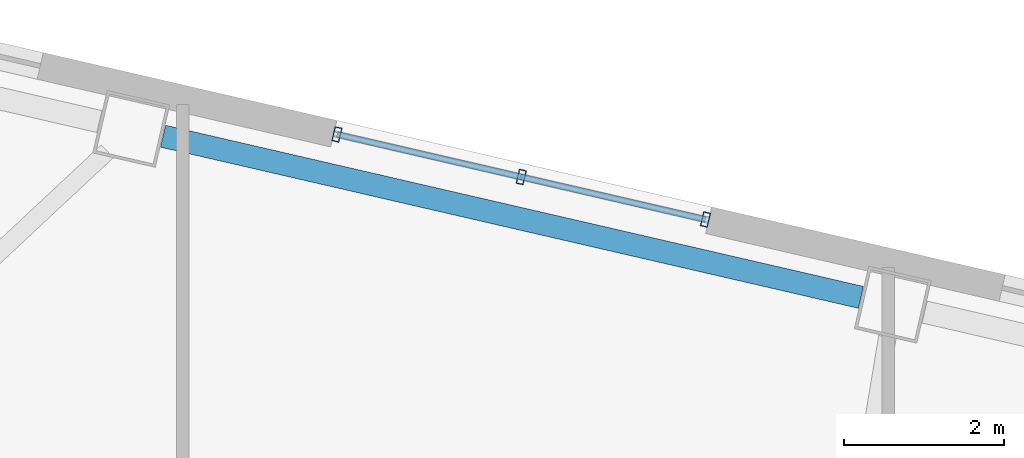
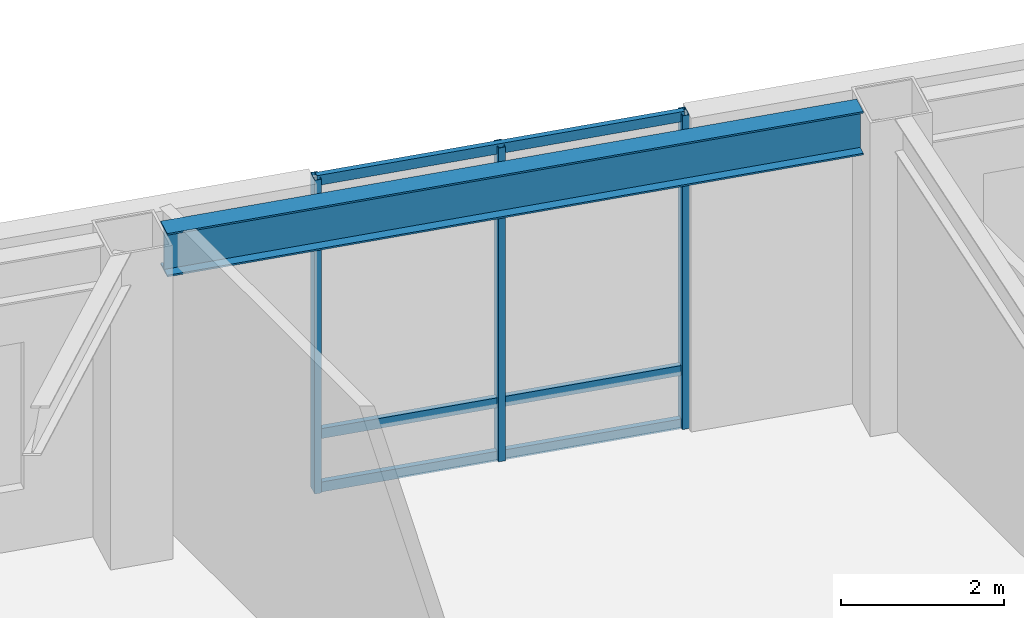
# One storey, part 6 of 20: 6 members, 1 beam, 1 element without a shape of its own.
"""IFC4 building model written with IfcOpenShell, lengths in metres."""

from ifc_helpers import new_model, si_unit, direction, frame, origin, origin_2d, place, context, subcontext, project, spatial, hollow_rectangle, i_section, extrude, material, layer, layer_set, material_profile, profile_set, type_object, element, aggregate, save


model = new_model("IFC4")

# Units and contexts
model_context = context("Model", 3, precision=1e-05, world=origin(), true_north=direction((0.0, 1.0)))
body_context = subcontext(model_context, "Body", "Model", "MODEL_VIEW")
ifc_project = project(units=[si_unit("LENGTHUNIT", "METRE"), si_unit("AREAUNIT", "SQUARE_METRE"), si_unit("VOLUMEUNIT", "CUBIC_METRE"), si_unit("PLANEANGLEUNIT", "RADIAN"), si_unit("MASSUNIT", "GRAM", prefix="KILO")], contexts=[model_context])

# Site, building, storey
site_placement = place(None, origin())
site = spatial("IfcSite", under=ifc_project, at=site_placement, CompositionType="ELEMENT")
building_placement = place(site_placement, origin())
building = spatial("IfcBuilding", under=site, at=building_placement, Name="Tavrogorsk Clinical Tower", CompositionType="ELEMENT")
storey_placement = place(building_placement, frame((0.0, 0.0, 23.39990234375)))
storey = spatial("IfcBuildingStorey", under=building, at=storey_placement, Name="L04", CompositionType="ELEMENT", Elevation=23.39990234375)

# Curtain wall, members
ifc_material_1 = material(Name="Anodised aluminium and triple IGU glazing", Category="aluminium")
ifc_layer = layer(ifc_material_1, 0.179931640625)
ifc_layer_set = layer_set([ifc_layer], Name="Anodised aluminium and triple IGU glazing")
curtain_wall_type = type_object("IfcCurtainWallType", Name="CW2_NorthSlot", PredefinedType="NOTDEFINED", material=ifc_layer_set)
curtain_wall_placement = place(storey_placement, origin())
curtain_wall = element("IfcCurtainWall", 1, at=curtain_wall_placement, inside=storey, type_object=curtain_wall_type, Name="L04 Curtain Wall CW-L04-N-SLOT-1", PredefinedType="NOTDEFINED")
ifc_material_2 = material(Name="Anodised aluminium alloy AW-6060", Category="aluminium")
ifc_material_profile_1 = material_profile(ifc_material_2, hollow_rectangle(XDim=0.090087890625, YDim=0.179931640625, WallThickness=0.00634765625, at=origin_2d()), Name="RHS-180x90x6.3")
ifc_profile_set_1 = profile_set([ifc_material_profile_1], Name="Anodised aluminium alloy AW-6060")
member_type_1 = type_object("IfcMemberType", Name="CwMullion_180x90", PredefinedType="MULLION", material=ifc_profile_set_1)
member_1_placement = place(storey_placement, frame((-3.879638671875, 24.640625, 0.0), z_axis=(0.0, 0.0, 1.0), x_axis=(-0.974370102963, 0.224950888978, 0.0)))
member_1 = element("IfcMember", 2, at=member_1_placement, type_object=member_type_1, Name="CW-L04-N-SLOT-1 Mullion 1", PredefinedType="MULLION", context=body_context, shape_type="SweptSolid", body=[
    extrude(hollow_rectangle(XDim=0.090087890625, YDim=0.179931640625, WallThickness=0.00634765625, at=origin_2d()), origin(), (0.0, 0.0, 1.0), 4.7001953125),
])
member_2_placement = place(storey_placement, frame((-6.17822265625, 25.171142578125, 0.0), z_axis=(0.0, 0.0, 1.0), x_axis=(-0.974370102963, 0.224950888978, 0.0)))
member_2 = element("IfcMember", 3, at=member_2_placement, type_object=member_type_1, Name="CW-L04-N-SLOT-1 Mullion 2", PredefinedType="MULLION", context=body_context, shape_type="SweptSolid", body=[
    extrude(hollow_rectangle(XDim=0.090087890625, YDim=0.179931640625, WallThickness=0.00634765625, at=origin_2d()), origin(), (0.0, 0.0, 1.0), 4.7001953125),
])
member_3_placement = place(storey_placement, frame((-8.476806640625, 25.701904296875, 0.0), z_axis=(0.0, 0.0, 1.0), x_axis=(-0.974370102963, 0.224950888978, 0.0)))
member_3 = element("IfcMember", 4, at=member_3_placement, type_object=member_type_1, Name="CW-L04-N-SLOT-1 Mullion 3", PredefinedType="MULLION", context=body_context, shape_type="SweptSolid", body=[
    extrude(hollow_rectangle(XDim=0.090087890625, YDim=0.179931640625, WallThickness=0.00634765625, at=origin_2d()), origin(), (0.0, 0.0, 1.0), 4.7001953125),
])
ifc_material_3 = material(Name="Anodised aluminium alloy AW-6060", Category="aluminium")
ifc_material_profile_2 = material_profile(ifc_material_3, hollow_rectangle(XDim=0.074951171875, YDim=0.14990234375, WallThickness=0.0048828125, at=origin_2d()), Name="RHS-150x75x5")
ifc_profile_set_2 = profile_set([ifc_material_profile_2], Name="Anodised aluminium alloy AW-6060")
member_type_2 = type_object("IfcMemberType", Name="CwTransom_150x75", PredefinedType="USERDEFINED", material=ifc_profile_set_2)
member_4_placement = place(storey_placement, frame((-3.879638671875, 24.640625, 0.050048828125), z_axis=(-0.974372877948, 0.22493886885, 0.0), x_axis=(-0.22493886885, -0.974372877948, 0.0)))
member_4 = element("IfcMember", 5, at=member_4_placement, type_object=member_type_2, Name="CW-L04-N-SLOT-1 Transom 1", ObjectType="TRANSOM", PredefinedType="USERDEFINED", context=body_context, shape_type="SweptSolid", body=[
    extrude(hollow_rectangle(XDim=0.074951171875, YDim=0.14990234375, WallThickness=0.0048828125, at=origin_2d()), origin(), (0.0, 0.0, 1.0), 4.718017578125),
])
member_5_placement = place(storey_placement, frame((-3.879638671875, 24.640625, 0.85009765625), z_axis=(-0.974372877948, 0.22493886885, 0.0), x_axis=(-0.22493886885, -0.974372877948, 0.0)))
member_5 = element("IfcMember", 6, at=member_5_placement, type_object=member_type_2, Name="CW-L04-N-SLOT-1 Transom 2", ObjectType="TRANSOM", PredefinedType="USERDEFINED", context=body_context, shape_type="SweptSolid", body=[
    extrude(hollow_rectangle(XDim=0.074951171875, YDim=0.14990234375, WallThickness=0.0048828125, at=origin_2d()), origin(), (0.0, 0.0, 1.0), 4.718017578125),
])
member_6_placement = place(storey_placement, frame((-3.879638671875, 24.640625, 4.650146484375), z_axis=(-0.974372877948, 0.22493886885, 0.0), x_axis=(-0.22493886885, -0.974372877948, 0.0)))
member_6 = element("IfcMember", 7, at=member_6_placement, type_object=member_type_2, Name="CW-L04-N-SLOT-1 Transom 3", ObjectType="TRANSOM", PredefinedType="USERDEFINED", context=body_context, shape_type="SweptSolid", body=[
    extrude(hollow_rectangle(XDim=0.074951171875, YDim=0.14990234375, WallThickness=0.0048828125, at=origin_2d()), origin(), (0.0, 0.0, 1.0), 4.718017578125),
])
aggregate(curtain_wall, [member_1, member_2, member_3, member_4, member_5, member_6])

# Beam
ifc_material_4 = material(Name="Structural steel S390", Category="steel")
ifc_material_profile_3 = material_profile(ifc_material_4, i_section(OverallWidth=0.280029296875, OverallDepth=0.64990234375, WebThickness=0.01611328125, FlangeThickness=0.02490234375, at=origin_2d()), Name="B-650x280x16x25")
ifc_profile_set_3 = profile_set([ifc_material_profile_3], Name="Structural steel S390")
beam_type = type_object("IfcBeamType", Name="SpandrelBeam_B650", PredefinedType="SPANDREL", material=ifc_profile_set_3)
beam_placement = place(storey_placement, frame((-1.941162109375, 23.669677734375, 4.375), z_axis=(-0.974372766602, 0.224939351168, 0.0), x_axis=(-0.224939351168, -0.974372766602, 0.0)))
element("IfcBeam", 8, at=beam_placement, inside=storey, type_object=beam_type, Name="L04 Perimeter Spandrel N5-N6", PredefinedType="SPANDREL", context=body_context, shape_type="SweptSolid", body=[
    extrude(i_section(OverallWidth=0.280029296875, OverallDepth=0.64990234375, WebThickness=0.01611328125, FlangeThickness=0.02490234375, at=origin_2d()), origin(), (0.0, 0.0, 1.0), 8.9326171875),
])

save(model, "model.ifc")
